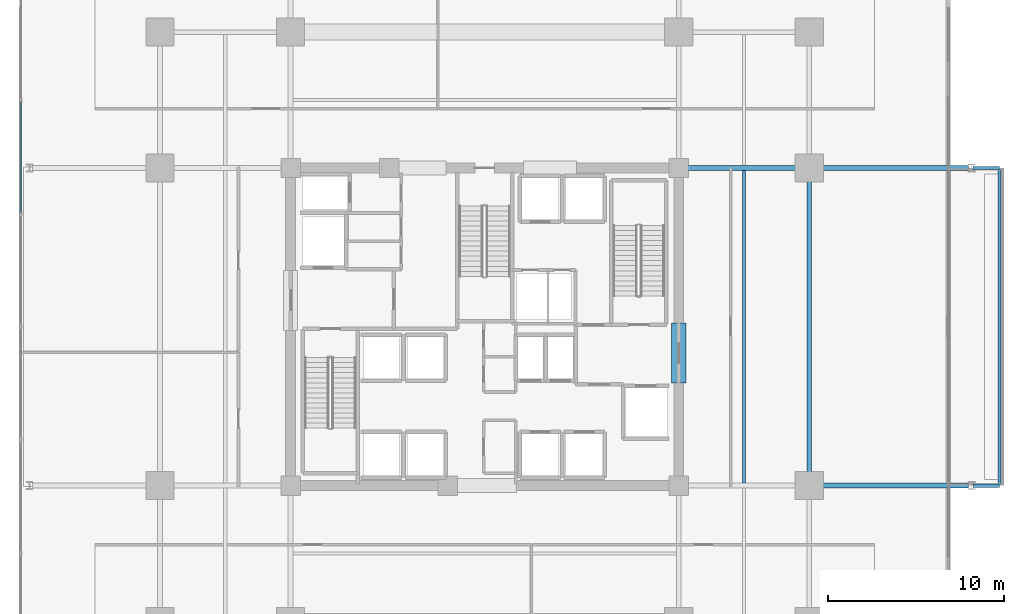
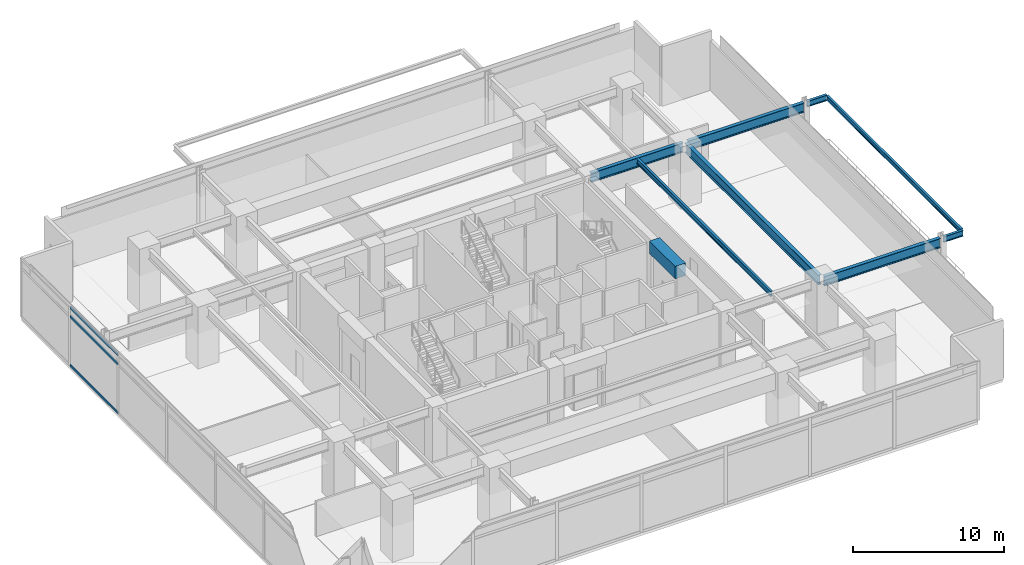
# One storey, part 9 of 20: 9 beams, 3 members, 1 element without a shape of its own.
"""IFC4 building model written with IfcOpenShell, lengths in metres."""

from ifc_helpers import new_model, si_unit, direction, frame, origin, origin_2d, place, context, subcontext, project, spatial, rectangle, hollow_rectangle, i_section, extrude, material, material_profile, profile_set, type_object, element, aggregate, save


model = new_model("IFC4")

# Units and contexts
model_context = context("Model", 3, precision=1e-05, world=origin(), true_north=direction((0.0, 1.0)))
body_context = subcontext(model_context, "Body", "Model", "MODEL_VIEW")
ifc_project = project(units=[si_unit("LENGTHUNIT", "METRE"), si_unit("AREAUNIT", "SQUARE_METRE"), si_unit("VOLUMEUNIT", "CUBIC_METRE"), si_unit("PLANEANGLEUNIT", "RADIAN"), si_unit("MASSUNIT", "GRAM", prefix="KILO")], contexts=[model_context])

# Site, building, storey
site_placement = place(None, origin())
site = spatial("IfcSite", under=ifc_project, at=site_placement, CompositionType="ELEMENT")
building_placement = place(site_placement, origin())
building = spatial("IfcBuilding", under=site, at=building_placement, Name="Kovane Verandah Tower", CompositionType="ELEMENT")
storey_placement = place(building_placement, frame((0.0, 0.0, 123.39990234375)))
storey = spatial("IfcBuildingStorey", under=building, at=storey_placement, Name="L28", CompositionType="ELEMENT", Elevation=123.39990234375)

# Beams
ifc_material_1 = material(Name="Concrete C60/75", Category="concrete")
ifc_material_profile_1 = material_profile(ifc_material_1, rectangle(XDim=0.800048828125, YDim=1.0, at=origin_2d()), Name="RCB800x1000")
ifc_profile_set_1 = profile_set([ifc_material_profile_1], Name="Concrete C60/75")
beam_type_1 = type_object("IfcBeamType", Name="BM-LINTEL-800x1000", PredefinedType="LINTEL", material=ifc_profile_set_1)
beam_1_placement = place(storey_placement, frame((51.0, 24.300048828125, 4.275146484375), z_axis=(0.0, 1.0, 0.0), x_axis=(-1.0, 0.0, 0.0)))
element("IfcBeam", 1, at=beam_1_placement, inside=storey, type_object=beam_type_1, Name="L28 Core Coupling Lintel CL-E", PredefinedType="LINTEL", context=body_context, shape_type="SweptSolid", body=[
    extrude(rectangle(XDim=0.800048828125, YDim=1.0, at=origin_2d()), origin(), (0.0, 0.0, 1.0), 3.39990234375),
])
ifc_material_2 = material(Name="Steel S355", Category="steel")
ifc_material_profile_2 = material_profile(ifc_material_2, i_section(OverallWidth=0.26806640625, OverallDepth=0.769775390625, WebThickness=0.015625, FlangeThickness=0.025390625, FilletRadius=0.0166015625, at=origin_2d()), Name="UB762x267x197")
ifc_profile_set_2 = profile_set([ifc_material_profile_2], Name="Steel S355")
beam_type_2 = type_object("IfcBeamType", Name="BM-UB762x197", PredefinedType="BEAM", material=ifc_profile_set_2)
beam_2_placement = place(storey_placement, frame((58.39990234375, 18.679931640625, 4.39013671875), z_axis=(0.0, 1.0, 0.0), x_axis=(-1.0, 0.0, 0.0)))
element("IfcBeam", 2, at=beam_2_placement, inside=storey, type_object=beam_type_2, Name="L28 Primary Tower Girder G-RE2", PredefinedType="BEAM", context=body_context, shape_type="SweptSolid", body=[
    extrude(i_section(OverallWidth=0.26806640625, OverallDepth=0.769775390625, WebThickness=0.015625, FlangeThickness=0.025390625, FilletRadius=0.0166015625, at=origin_2d()), origin(), (0.0, 0.0, 1.0), 17.64013671875),
])
beam_3_placement = place(storey_placement, frame((51.179931640625, 36.5, 4.39013671875), z_axis=(1.0, 0.0, 0.0), x_axis=(0.0, 1.0, 0.0)))
element("IfcBeam", 3, at=beam_3_placement, inside=storey, type_object=beam_type_2, Name="L28 Primary Tower Girder G-E2", PredefinedType="BEAM", context=body_context, shape_type="SweptSolid", body=[
    extrude(i_section(OverallWidth=0.26806640625, OverallDepth=0.769775390625, WebThickness=0.015625, FlangeThickness=0.025390625, FilletRadius=0.0166015625, at=origin_2d()), origin(), (0.0, 0.0, 1.0), 7.0400390625),
])
for number, where, z_axis, x_axis, name in (
    (4, (58.580078125, 18.5, 4.375244140625), (1.0, 0.0, 0.0), (0.0, 1.0, 0.0), "L28 Primary Tower Girder G-VE1"),
    (5, (58.580078125, 36.5, 4.375244140625), (1.0, 0.0, 0.0), (0.0, 1.0, 0.0), "L28 Primary Tower Girder G-VE2"),
):
    element("IfcBeam", number, at=place(storey_placement, frame(where, z_axis=z_axis, x_axis=x_axis)), inside=storey, type_object=beam_type_2, Name=name, PredefinedType="BEAM", context=body_context, shape_type="SweptSolid", body=[
        extrude(i_section(OverallWidth=0.26806640625, OverallDepth=0.769775390625, WebThickness=0.015625, FlangeThickness=0.025390625, FilletRadius=0.0166015625, at=origin_2d()), origin(), (0.0, 0.0, 1.0), 8.83984375),
    ])

# Curtain wall, members
ifc_material_3 = material(Name="Champagne Anodised Aluminium Frame with Low-E Clear Laminated Glass", Category="aluminium")
curtain_wall_type = type_object("IfcCurtainWallType", Name="CW-SYS-03-MID", PredefinedType="NOTDEFINED", material=ifc_material_3)
curtain_wall_placement = place(storey_placement, origin())
curtain_wall = element("IfcCurtainWall", 6, at=curtain_wall_placement, inside=storey, type_object=curtain_wall_type, Name="L28 W Unitised Curtain Wall", PredefinedType="NOTDEFINED")
ifc_material_4 = material(Name="Champagne Anodised Aluminium 6063-T6", Category="aluminium")
ifc_material_profile_3 = material_profile(ifc_material_4, hollow_rectangle(XDim=0.0849609375, YDim=0.18994140625, WallThickness=0.00390625, at=origin_2d()), Name="AL85x190x4")
ifc_profile_set_3 = profile_set([ifc_material_profile_3], Name="Champagne Anodised Aluminium 6063-T6")
member_type = type_object("IfcMemberType", Name="CW-TRN-85x190", PredefinedType="USERDEFINED", material=ifc_profile_set_3)
member_1_placement = place(storey_placement, frame((13.71533203125, 40.276123046875, 0.050048828125), z_axis=(0.0, -1.0, 0.0), x_axis=(1.0, 0.0, 0.0)))
member_1 = element("IfcMember", 7, at=member_1_placement, type_object=member_type, Name="L28 W Unitised Curtain Wall Transom TB Bay 2", ObjectType="TRANSOM", PredefinedType="USERDEFINED", context=body_context, shape_type="SweptSolid", body=[
    extrude(hollow_rectangle(XDim=0.0849609375, YDim=0.18994140625, WallThickness=0.00390625, at=origin_2d()), origin(), (0.0, 0.0, 1.0), 6.31298828125),
])
member_2_placement = place(storey_placement, frame((13.71533203125, 40.276123046875, 3.9951171875), z_axis=(0.0, -1.0, 0.0), x_axis=(1.0, 0.0, 0.0)))
member_2 = element("IfcMember", 8, at=member_2_placement, type_object=member_type, Name="L28 W Unitised Curtain Wall Transom TM Bay 2", ObjectType="TRANSOM", PredefinedType="USERDEFINED", context=body_context, shape_type="SweptSolid", body=[
    extrude(hollow_rectangle(XDim=0.0849609375, YDim=0.18994140625, WallThickness=0.00390625, at=origin_2d()), origin(), (0.0, 0.0, 1.0), 6.31298828125),
])
member_3_placement = place(storey_placement, frame((13.71533203125, 40.276123046875, 4.72509765625), z_axis=(0.0, -1.0, 0.0), x_axis=(1.0, 0.0, 0.0)))
member_3 = element("IfcMember", 9, at=member_3_placement, type_object=member_type, Name="L28 W Unitised Curtain Wall Transom TT Bay 2", ObjectType="TRANSOM", PredefinedType="USERDEFINED", context=body_context, shape_type="SweptSolid", body=[
    extrude(hollow_rectangle(XDim=0.0849609375, YDim=0.18994140625, WallThickness=0.00390625, at=origin_2d()), origin(), (0.0, 0.0, 1.0), 6.31298828125),
])
aggregate(curtain_wall, [member_1, member_2, member_3])

# Beams
ifc_material_profile_4 = material_profile(ifc_material_2, i_section(OverallWidth=0.179443359375, OverallDepth=0.412841796875, WebThickness=0.009521484375, FlangeThickness=0.01611328125, FilletRadius=0.01025390625, at=origin_2d()), Name="UB406x178x74")
ifc_profile_set_4 = profile_set([ifc_material_profile_4], Name="Steel S355")
beam_type_3 = type_object("IfcBeamType", Name="JST-UB406x74", PredefinedType="JOIST", material=ifc_profile_set_4)
beam_4_placement = place(storey_placement, frame((54.699951171875, 18.632080078125, 4.568603515625), z_axis=(0.0, 1.0, 0.0), x_axis=(-1.0, 0.0, 0.0)))
element("IfcBeam", 10, at=beam_4_placement, inside=storey, type_object=beam_type_3, Name="L28 Secondary Composite Joist J-E1", PredefinedType="JOIST", context=body_context, shape_type="SweptSolid", body=[
    extrude(i_section(OverallWidth=0.179443359375, OverallDepth=0.412841796875, WebThickness=0.009521484375, FlangeThickness=0.01611328125, FilletRadius=0.01025390625, at=origin_2d()), origin(), (0.0, 0.0, 1.0), 17.73583984375),
])
ifc_material_profile_5 = material_profile(ifc_material_2, i_section(OverallWidth=0.19287109375, OverallDepth=0.46728515625, WebThickness=0.011474609375, FlangeThickness=0.01953125, FilletRadius=0.01025390625, at=origin_2d()), Name="UB457x191x98")
ifc_profile_set_5 = profile_set([ifc_material_profile_5], Name="Steel S355")
beam_type_4 = type_object("IfcBeamType", Name="JST-UB457x98", PredefinedType="JOIST", material=ifc_profile_set_5)
for number, where, z_axis, x_axis, name in (
    (11, (67.679931640625, 18.5, 4.526611328125), (1.0, 0.0, 0.0), (0.0, 1.0, 0.0), "L28 East Planter Girder 1"),
    (12, (67.679931640625, 36.5, 4.526611328125), (1.0, 0.0, 0.0), (0.0, 1.0, 0.0), "L28 East Planter Girder 2"),
):
    element("IfcBeam", number, at=place(storey_placement, frame(where, z_axis=z_axis, x_axis=x_axis)), inside=storey, type_object=beam_type_4, Name=name, PredefinedType="JOIST", context=body_context, shape_type="SweptSolid", body=[
        extrude(i_section(OverallWidth=0.19287109375, OverallDepth=0.46728515625, WebThickness=0.011474609375, FlangeThickness=0.01953125, FilletRadius=0.01025390625, at=origin_2d()), origin(), (0.0, 0.0, 1.0), 1.498779296875),
    ])
ifc_material_profile_6 = material_profile(ifc_material_2, i_section(OverallWidth=0.173095703125, OverallDepth=0.36328125, WebThickness=0.009033203125, FlangeThickness=0.015625, FilletRadius=0.01025390625, at=origin_2d()), Name="UB356x171x67")
ifc_profile_set_6 = profile_set([ifc_material_profile_6], Name="Steel S355")
beam_type_5 = type_object("IfcBeamType", Name="SPD-UB356x67", PredefinedType="USERDEFINED", material=ifc_profile_set_6)
beam_5_placement = place(storey_placement, frame((69.1787109375, 18.594482421875, 4.578369140625), z_axis=(0.0, 1.0, 0.0), x_axis=(-1.0, 0.0, 0.0)))
element("IfcBeam", 13, at=beam_5_placement, inside=storey, type_object=beam_type_5, Name="L28 East Planter Edge Spandrel", ObjectType="SPANDREL", PredefinedType="USERDEFINED", context=body_context, shape_type="SweptSolid", body=[
    extrude(i_section(OverallWidth=0.173095703125, OverallDepth=0.36328125, WebThickness=0.009033203125, FlangeThickness=0.015625, FilletRadius=0.01025390625, at=origin_2d()), origin(), (0.0, 0.0, 1.0), 17.81103515625),
])

save(model, "model.ifc")
